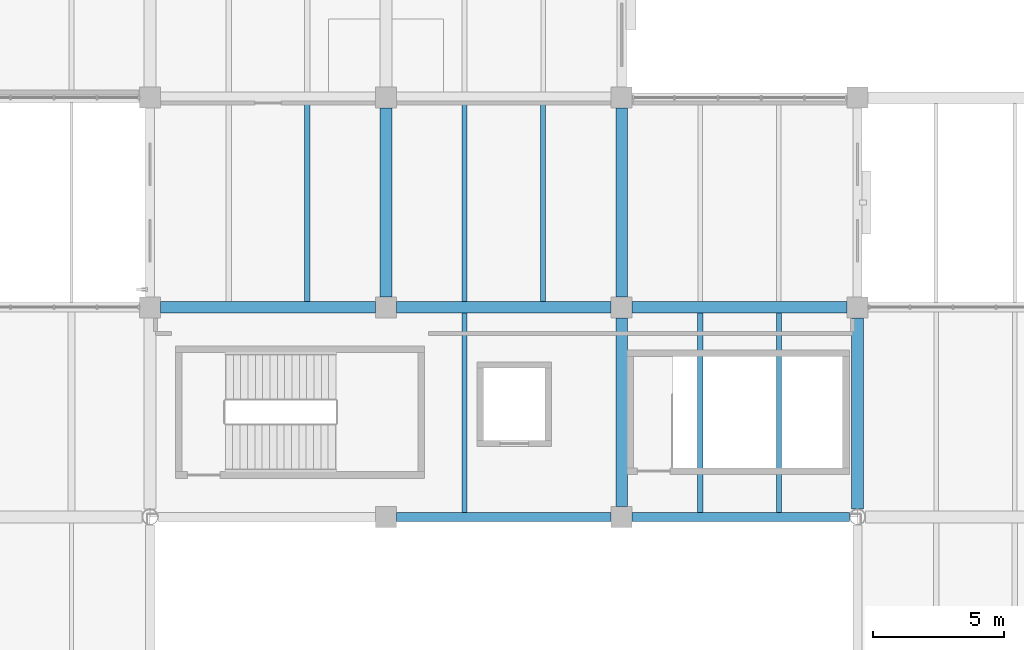
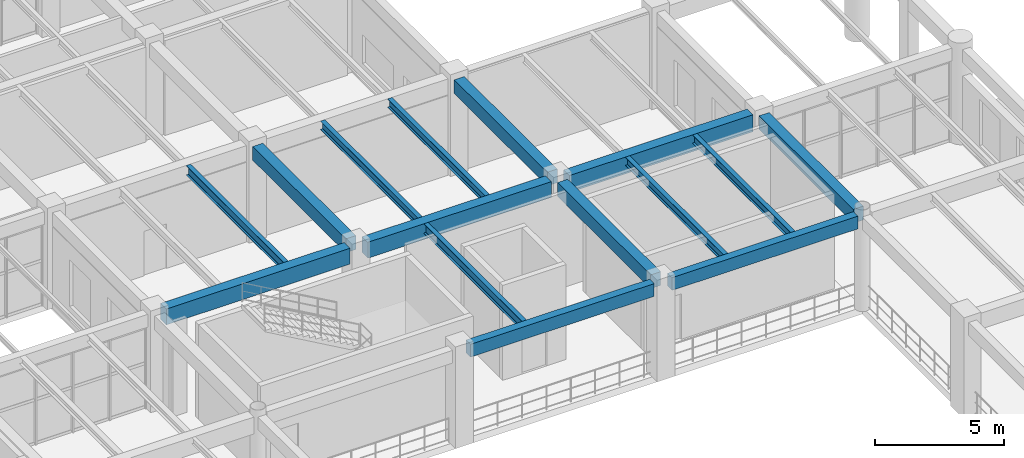
# One storey, part 78 of 178: 15 beams.
"""IFC4 building model written with IfcOpenShell, lengths in metres."""

from ifc_helpers import new_model, si_unit, derived_unit, direction, frame, origin, origin_2d, place, context, subcontext, project, spatial, rectangle, i_section, extrude, material, material_profile, profile_set, type_object, element, save


model = new_model("IFC4")

# Units and contexts
model_context = context("Model", 3, precision=1e-05, world=origin(), true_north=direction((0.0, 1.0)))
body_context = subcontext(model_context, "Body", "Model", "MODEL_VIEW")
ifc_project = project(units=[si_unit("LENGTHUNIT", "METRE"), si_unit("AREAUNIT", "SQUARE_METRE"), si_unit("VOLUMEUNIT", "CUBIC_METRE"), si_unit("PLANEANGLEUNIT", "RADIAN"), si_unit("MASSUNIT", "GRAM", prefix="KILO"), derived_unit("THERMALTRANSMITTANCEUNIT", [(si_unit("MASSUNIT", "GRAM", prefix="KILO"), 1), (si_unit("TIMEUNIT", "SECOND"), -3), (si_unit("THERMODYNAMICTEMPERATUREUNIT", "KELVIN"), -1)])], contexts=[model_context])

# Site, building, storey
site_placement = place(None, origin())
site = spatial("IfcSite", under=ifc_project, at=site_placement, CompositionType="ELEMENT")
building_placement = place(site_placement, origin())
building = spatial("IfcBuilding", under=site, at=building_placement, Name="Zhenchuan Archway Interchange", CompositionType="ELEMENT")
storey_placement = place(building_placement, frame((0.0, 0.0, 5.39990234375)))
storey = spatial("IfcBuildingStorey", under=building, at=storey_placement, Name="L01", CompositionType="ELEMENT", Elevation=5.39990234375)

# Beams
ifc_material_1 = material(Name="Concrete C40", Category="concrete")
ifc_material_profile_1 = material_profile(ifc_material_1, rectangle(XDim=0.449951171875, YDim=0.64990234375, at=origin_2d()), Name="RC 450x650")
ifc_profile_set_1 = profile_set([ifc_material_profile_1], Name="Concrete C40")
beam_type_1 = type_object("IfcBeamType", Name="BM_RC_450x650", PredefinedType="BEAM", material=ifc_profile_set_1)
for number, where, z_axis, x_axis, name in (
    (1, (45.0, 88.39990234375, 4.18505859375), (0.0, 1.0, 0.0), (-1.0, 0.0, 0.0), "Beam 6:M-N (L01)"),
    (2, (54.0, 80.39990234375, 4.18505859375), (0.0, 1.0, 0.0), (-1.0, 0.0, 0.0), "Beam 7:L-M (L01)"),
    (3, (54.0, 88.39990234375, 4.18505859375), (0.0, 1.0, 0.0), (-1.0, 0.0, 0.0), "Beam 7:M-N (L01)"),
):
    element("IfcBeam", number, at=place(storey_placement, frame(where, z_axis=z_axis, x_axis=x_axis)), inside=storey, type_object=beam_type_1, Name=name, PredefinedType="BEAM", context=body_context, shape_type="SweptSolid", body=[
        extrude(rectangle(XDim=0.449951171875, YDim=0.64990234375, at=origin_2d()), origin(), (0.0, 0.0, 1.0), 7.2001953125),
    ])
beam_1_placement = place(storey_placement, frame((63.0, 80.304931640625, 4.18505859375), z_axis=(0.0, 1.0, 0.0), x_axis=(-1.0, 0.0, 0.0)))
element("IfcBeam", 4, at=beam_1_placement, inside=storey, type_object=beam_type_1, Name="Beam 8:L-M (L01)", PredefinedType="BEAM", context=body_context, shape_type="SweptSolid", body=[
    extrude(rectangle(XDim=0.449951171875, YDim=0.64990234375, at=origin_2d()), origin(), (0.0, 0.0, 1.0), 7.295166015625),
])
ifc_material_profile_2 = material_profile(ifc_material_1, rectangle(XDim=0.449951171875, YDim=0.75, at=origin_2d()), Name="RC 450x750")
ifc_profile_set_2 = profile_set([ifc_material_profile_2], Name="Concrete C40")
beam_type_2 = type_object("IfcBeamType", Name="BM_RC_450x750", PredefinedType="BEAM", material=ifc_profile_set_2)
for number, where, z_axis, x_axis, name in (
    (5, (36.39990234375, 88.0, 4.135009765625), (1.0, 0.0, 0.0), (0.0, 1.0, 0.0), "Beam M:5-6 (L01)"),
    (6, (45.39990234375, 88.0, 4.135009765625), (1.0, 0.0, 0.0), (0.0, 1.0, 0.0), "Beam M:6-7 (L01)"),
):
    element("IfcBeam", number, at=place(storey_placement, frame(where, z_axis=z_axis, x_axis=x_axis)), inside=storey, type_object=beam_type_2, Name=name, PredefinedType="BEAM", context=body_context, shape_type="SweptSolid", body=[
        extrude(rectangle(XDim=0.449951171875, YDim=0.75, at=origin_2d()), origin(), (0.0, 0.0, 1.0), 8.2001953125),
    ])
ifc_material_profile_3 = material_profile(ifc_material_1, rectangle(XDim=0.449951171875, YDim=0.800048828125, at=origin_2d()), Name="RC 450x800")
ifc_profile_set_3 = profile_set([ifc_material_profile_3], Name="Concrete C40")
beam_type_3 = type_object("IfcBeamType", Name="BM_RC_450x800", PredefinedType="BEAM", material=ifc_profile_set_3)
beam_2_placement = place(storey_placement, frame((54.39990234375, 88.0, 4.110107421875), z_axis=(1.0, 0.0, 0.0), x_axis=(0.0, 1.0, 0.0)))
element("IfcBeam", 7, at=beam_2_placement, inside=storey, type_object=beam_type_3, Name="Beam M:7-8 (L01)", PredefinedType="BEAM", context=body_context, shape_type="SweptSolid", body=[
    extrude(rectangle(XDim=0.449951171875, YDim=0.800048828125, at=origin_2d()), origin(), (0.0, 0.0, 1.0), 8.2001953125),
])
ifc_material_2 = material(Name="Steel Q355", Category="steel")
ifc_material_profile_4 = material_profile(ifc_material_2, i_section(OverallWidth=0.199951171875, OverallDepth=0.39990234375, WebThickness=0.008056640625, FlangeThickness=0.012939453125, FilletRadius=0.01611328125, at=origin_2d()), Name="HN 400x200")
ifc_profile_set_4 = profile_set([ifc_material_profile_4], Name="Steel Q355")
beam_type_4 = type_object("IfcBeamType", Name="JST_STL_HN400", PredefinedType="JOIST", material=ifc_profile_set_4)
for number, where, z_axis, x_axis, name in (
    (8, (48.0, 88.22509765625, 4.31005859375), (0.0, 1.0, 0.0), (-1.0, 0.0, 0.0), "Secondary joist 6-7/M-N #1 (L01)"),
    (9, (51.0, 88.22509765625, 4.31005859375), (0.0, 1.0, 0.0), (-1.0, 0.0, 0.0), "Secondary joist 6-7/M-N #2 (L01)"),
):
    element("IfcBeam", number, at=place(storey_placement, frame(where, z_axis=z_axis, x_axis=x_axis)), inside=storey, type_object=beam_type_4, Name=name, PredefinedType="JOIST", context=body_context, shape_type="SweptSolid", body=[
        extrude(i_section(OverallWidth=0.199951171875, OverallDepth=0.39990234375, WebThickness=0.008056640625, FlangeThickness=0.012939453125, FilletRadius=0.01611328125, at=origin_2d()), origin(), (0.0, 0.0, 1.0), 7.5498046875),
    ])
for number, where, z_axis, x_axis, name in (
    (10, (57.0, 80.175048828125, 4.31005859375), (0.0, 1.0, 0.0), (-1.0, 0.0, 0.0), "Secondary joist 7-8/L-M #1 (L01)"),
    (11, (60.0, 80.175048828125, 4.31005859375), (0.0, 1.0, 0.0), (-1.0, 0.0, 0.0), "Secondary joist 7-8/L-M #2 (L01)"),
):
    element("IfcBeam", number, at=place(storey_placement, frame(where, z_axis=z_axis, x_axis=x_axis)), inside=storey, type_object=beam_type_4, Name=name, PredefinedType="JOIST", context=body_context, shape_type="SweptSolid", body=[
        extrude(i_section(OverallWidth=0.199951171875, OverallDepth=0.39990234375, WebThickness=0.008056640625, FlangeThickness=0.012939453125, FilletRadius=0.01611328125, at=origin_2d()), origin(), (0.0, 0.0, 1.0), 7.599853515625),
    ])
ifc_material_profile_5 = material_profile(ifc_material_2, i_section(OverallWidth=0.199951171875, OverallDepth=0.449951171875, WebThickness=0.009033203125, FlangeThickness=0.013916015625, FilletRadius=0.01806640625, at=origin_2d()), Name="HN 450x200")
ifc_profile_set_5 = profile_set([ifc_material_profile_5], Name="Steel Q355")
beam_type_5 = type_object("IfcBeamType", Name="JST_STL_HN450", PredefinedType="JOIST", material=ifc_profile_set_5)
beam_3_placement = place(storey_placement, frame((42.0, 88.22509765625, 4.28515625), z_axis=(0.0, 1.0, 0.0), x_axis=(-1.0, 0.0, 0.0)))
element("IfcBeam", 12, at=beam_3_placement, inside=storey, type_object=beam_type_5, Name="Secondary joist 5-6/M-N #2 (L01)", PredefinedType="JOIST", context=body_context, shape_type="SweptSolid", body=[
    extrude(i_section(OverallWidth=0.199951171875, OverallDepth=0.449951171875, WebThickness=0.009033203125, FlangeThickness=0.013916015625, FilletRadius=0.01806640625, at=origin_2d()), origin(), (0.0, 0.0, 1.0), 7.5498046875),
])
beam_4_placement = place(storey_placement, frame((48.0, 80.175048828125, 4.28515625), z_axis=(0.0, 1.0, 0.0), x_axis=(-1.0, 0.0, 0.0)))
element("IfcBeam", 13, at=beam_4_placement, inside=storey, type_object=beam_type_5, Name="Secondary joist 6-7/L-M #1 (L01)", PredefinedType="JOIST", context=body_context, shape_type="SweptSolid", body=[
    extrude(i_section(OverallWidth=0.199951171875, OverallDepth=0.449951171875, WebThickness=0.009033203125, FlangeThickness=0.013916015625, FilletRadius=0.01806640625, at=origin_2d()), origin(), (0.0, 0.0, 1.0), 7.599853515625),
])
ifc_material_profile_6 = material_profile(ifc_material_1, rectangle(XDim=0.35009765625, YDim=0.60009765625, at=origin_2d()), Name="RC 350x600")
ifc_profile_set_6 = profile_set([ifc_material_profile_6], Name="Concrete C40")
beam_type_6 = type_object("IfcBeamType", Name="SP_RC_350x600", PredefinedType="SPANDREL", material=ifc_profile_set_6)
beam_5_placement = place(storey_placement, frame((45.39990234375, 80.0, 4.210205078125), z_axis=(1.0, 0.0, 0.0), x_axis=(0.0, 1.0, 0.0)))
element("IfcBeam", 14, at=beam_5_placement, inside=storey, type_object=beam_type_6, Name="Beam L:6-7 (L01)", PredefinedType="SPANDREL", context=body_context, shape_type="SweptSolid", body=[
    extrude(rectangle(XDim=0.35009765625, YDim=0.60009765625, at=origin_2d()), origin(), (0.0, 0.0, 1.0), 8.2001953125),
])
beam_6_placement = place(storey_placement, frame((54.39990234375, 80.0, 4.210205078125), z_axis=(1.0, 0.0, 0.0), x_axis=(0.0, 1.0, 0.0)))
element("IfcBeam", 15, at=beam_6_placement, inside=storey, type_object=beam_type_6, Name="Beam L:7-8 (L01)", PredefinedType="SPANDREL", context=body_context, shape_type="SweptSolid", body=[
    extrude(rectangle(XDim=0.35009765625, YDim=0.60009765625, at=origin_2d()), origin(), (0.0, 0.0, 1.0), 8.295166015625),
])

save(model, "model.ifc")
